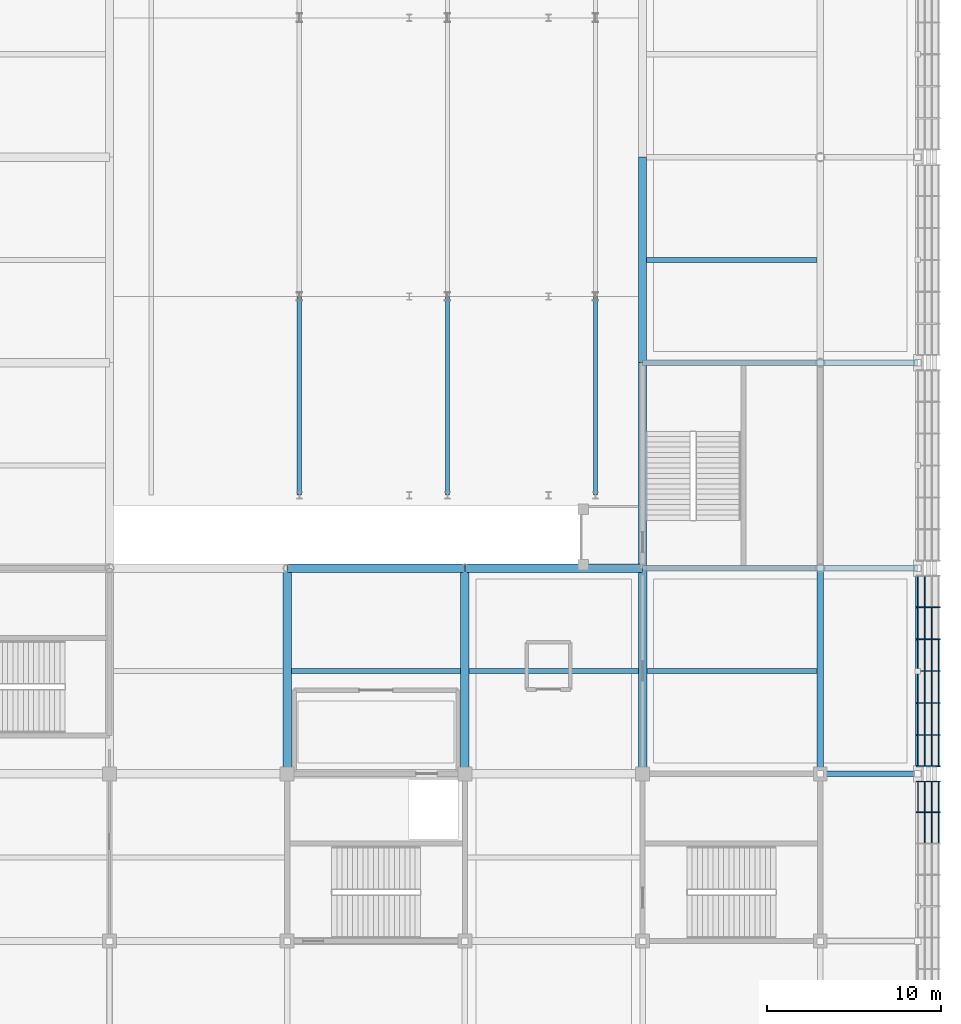
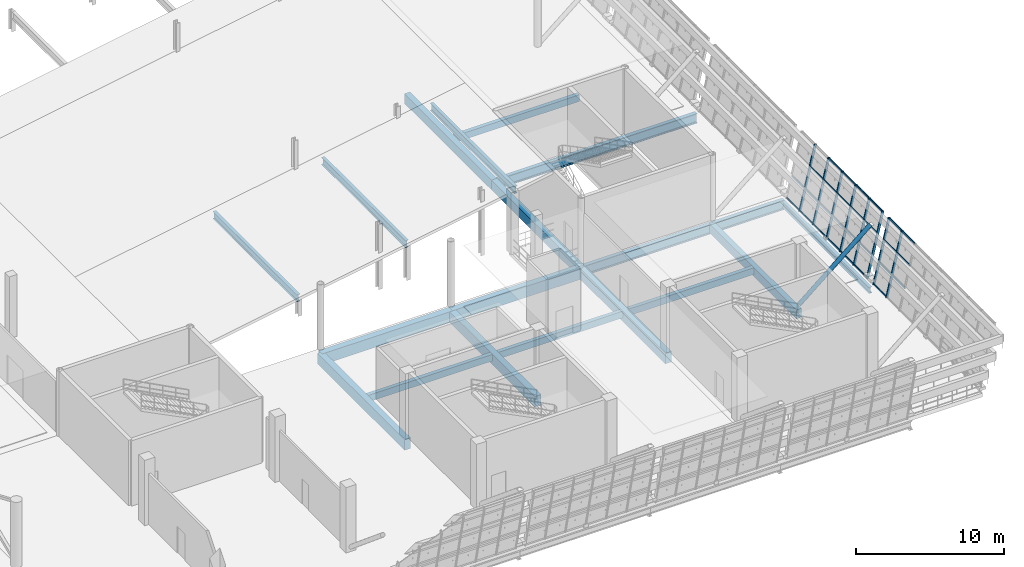
# One storey, part 62 of 175: 37 members, 18 beams, 2 elements without a shape of their own.
"""IFC4 building model written with IfcOpenShell, lengths in metres."""

from ifc_helpers import new_model, si_unit, direction, frame, origin, origin_2d, place, context, subcontext, project, spatial, rectangle, hollow_rectangle, hollow_circle, i_section, extrude, material, material_profile, profile_set, type_object, element, aggregate, save


model = new_model("IFC4")

# Units and contexts
model_context = context("Model", 3, precision=1e-05, world=origin(), true_north=direction((0.0, 1.0)))
body_context = subcontext(model_context, "Body", "Model", "MODEL_VIEW")
ifc_project = project(units=[si_unit("LENGTHUNIT", "METRE"), si_unit("AREAUNIT", "SQUARE_METRE"), si_unit("VOLUMEUNIT", "CUBIC_METRE"), si_unit("PLANEANGLEUNIT", "RADIAN"), si_unit("MASSUNIT", "GRAM", prefix="KILO")], contexts=[model_context])

# Site, building, storey
site_placement = place(None, origin())
site = spatial("IfcSite", under=ifc_project, at=site_placement, CompositionType="ELEMENT")
building_placement = place(site_placement, origin())
building = spatial("IfcBuilding", under=site, at=building_placement, Name="Brelvane Convention Centre", CompositionType="ELEMENT")
storey_placement = place(building_placement, frame((0.0, 0.0, 5.39990234375)))
storey = spatial("IfcBuildingStorey", under=building, at=storey_placement, Name="L01", CompositionType="ELEMENT", Elevation=5.39990234375)

# Curtain wall, members
ifc_material_1 = material(Name="Anodised Aluminium Alloy 6063-T6", Category="aluminium")
curtain_wall_type = type_object("IfcCurtainWallType", Name="Curtain Wall CW-PLEN-E", PredefinedType="USERDEFINED", material=ifc_material_1)
curtain_wall_1_placement = place(storey_placement, origin())
curtain_wall_1 = element("IfcCurtainWall", 1, at=curtain_wall_1_placement, inside=storey, type_object=curtain_wall_type, Name="Curtain Wall CW-PLEN-E L01-HULL-E-L01-1", ObjectType="UNITISED", PredefinedType="USERDEFINED")
ifc_material_2 = material(Name="Anodised Aluminium Alloy 6063-T6", Category="aluminium")
ifc_material_profile_1 = material_profile(ifc_material_2, hollow_rectangle(XDim=0.074951171875, YDim=0.199951171875, WallThickness=0.0048828125, InnerFilletRadius=0.0048828125, OuterFilletRadius=0.010009765625, at=origin_2d()), Name="ALU-M 200x75x5.0")
ifc_profile_set_1 = profile_set([ifc_material_profile_1], Name="Anodised Aluminium Alloy 6063-T6")
member_type_1 = type_object("IfcMemberType", Name="Curtain Mullion CW-M2", PredefinedType="MULLION", material=ifc_profile_set_1)
member_1_placement = place(storey_placement, frame((230.0, 26.60009765625, 0.0), z_axis=(0.228360162456, 0.0, 0.973576723326), x_axis=(0.0, 1.0, 0.0)))
member_1 = element("IfcMember", 2, at=member_1_placement, type_object=member_type_1, Name="CW-PLEN-E mullion 8", PredefinedType="MULLION", context=body_context, shape_type="SweptSolid", body=[
    extrude(hollow_rectangle(XDim=0.074951171875, YDim=0.199951171875, WallThickness=0.0048828125, InnerFilletRadius=0.0048828125, OuterFilletRadius=0.010009765625, at=origin_2d()), origin(), (0.0, 0.0, 1.0), 5.2900390625),
])
member_2_placement = place(storey_placement, frame((230.0, 28.362548828125, 0.0), z_axis=(0.228360162456, 0.0, 0.973576723326), x_axis=(0.0, 1.0, 0.0)))
member_2 = element("IfcMember", 3, at=member_2_placement, type_object=member_type_1, Name="CW-PLEN-E mullion 9", PredefinedType="MULLION", context=body_context, shape_type="SweptSolid", body=[
    extrude(hollow_rectangle(XDim=0.074951171875, YDim=0.199951171875, WallThickness=0.0048828125, InnerFilletRadius=0.0048828125, OuterFilletRadius=0.010009765625, at=origin_2d()), origin(), (0.0, 0.0, 1.0), 5.2900390625),
])

curtain_wall_2_placement = place(storey_placement, origin())
curtain_wall_2 = element("IfcCurtainWall", 4, at=curtain_wall_2_placement, inside=storey, type_object=curtain_wall_type, Name="Curtain Wall CW-PLEN-E L01-HULL-E-L01-2", ObjectType="UNITISED", PredefinedType="USERDEFINED")
member_3_placement = place(storey_placement, frame((230.0, 29.237548828125, 0.0), z_axis=(0.228360162456, 0.0, 0.973576723326), x_axis=(0.0, 1.0, 0.0)))
member_3 = element("IfcMember", 5, at=member_3_placement, type_object=member_type_1, Name="CW-PLEN-E mullion 1", PredefinedType="MULLION", context=body_context, shape_type="SweptSolid", body=[
    extrude(hollow_rectangle(XDim=0.074951171875, YDim=0.199951171875, WallThickness=0.0048828125, InnerFilletRadius=0.0048828125, OuterFilletRadius=0.010009765625, at=origin_2d()), origin(), (0.0, 0.0, 1.0), 5.2900390625),
])
member_4_placement = place(storey_placement, frame((230.0, 31.033447265625, 0.0), z_axis=(0.228360162456, 0.0, 0.973576723326), x_axis=(0.0, 1.0, 0.0)))
member_4 = element("IfcMember", 6, at=member_4_placement, type_object=member_type_1, Name="CW-PLEN-E mullion 2", PredefinedType="MULLION", context=body_context, shape_type="SweptSolid", body=[
    extrude(hollow_rectangle(XDim=0.074951171875, YDim=0.199951171875, WallThickness=0.0048828125, InnerFilletRadius=0.0048828125, OuterFilletRadius=0.010009765625, at=origin_2d()), origin(), (0.0, 0.0, 1.0), 5.2900390625),
])
member_5_placement = place(storey_placement, frame((230.0, 32.86669921875, 0.0), z_axis=(0.228360162456, 0.0, 0.973576723326), x_axis=(0.0, 1.0, 0.0)))
member_5 = element("IfcMember", 7, at=member_5_placement, type_object=member_type_1, Name="CW-PLEN-E mullion 3", PredefinedType="MULLION", context=body_context, shape_type="SweptSolid", body=[
    extrude(hollow_rectangle(XDim=0.074951171875, YDim=0.199951171875, WallThickness=0.0048828125, InnerFilletRadius=0.0048828125, OuterFilletRadius=0.010009765625, at=origin_2d()), origin(), (0.0, 0.0, 1.0), 5.2900390625),
])
member_6_placement = place(storey_placement, frame((230.0, 34.699951171875, 0.0), z_axis=(0.228360162456, 0.0, 0.973576723326), x_axis=(0.0, 1.0, 0.0)))
member_6 = element("IfcMember", 8, at=member_6_placement, type_object=member_type_1, Name="CW-PLEN-E mullion 4", PredefinedType="MULLION", context=body_context, shape_type="SweptSolid", body=[
    extrude(hollow_rectangle(XDim=0.074951171875, YDim=0.199951171875, WallThickness=0.0048828125, InnerFilletRadius=0.0048828125, OuterFilletRadius=0.010009765625, at=origin_2d()), origin(), (0.0, 0.0, 1.0), 5.2900390625),
])
member_7_placement = place(storey_placement, frame((230.0, 36.533447265625, 0.0), z_axis=(0.228360162456, 0.0, 0.973576723326), x_axis=(0.0, 1.0, 0.0)))
member_7 = element("IfcMember", 9, at=member_7_placement, type_object=member_type_1, Name="CW-PLEN-E mullion 5", PredefinedType="MULLION", context=body_context, shape_type="SweptSolid", body=[
    extrude(hollow_rectangle(XDim=0.074951171875, YDim=0.199951171875, WallThickness=0.0048828125, InnerFilletRadius=0.0048828125, OuterFilletRadius=0.010009765625, at=origin_2d()), origin(), (0.0, 0.0, 1.0), 5.2900390625),
])
member_8_placement = place(storey_placement, frame((230.0, 38.36669921875, 0.0), z_axis=(0.228360162456, 0.0, 0.973576723326), x_axis=(0.0, 1.0, 0.0)))
member_8 = element("IfcMember", 10, at=member_8_placement, type_object=member_type_1, Name="CW-PLEN-E mullion 6", PredefinedType="MULLION", context=body_context, shape_type="SweptSolid", body=[
    extrude(hollow_rectangle(XDim=0.074951171875, YDim=0.199951171875, WallThickness=0.0048828125, InnerFilletRadius=0.0048828125, OuterFilletRadius=0.010009765625, at=origin_2d()), origin(), (0.0, 0.0, 1.0), 5.2900390625),
])

# Member
ifc_material_3 = material(Name="Anodised Aluminium Alloy 6063-T6", Category="aluminium")
ifc_material_profile_2 = material_profile(ifc_material_3, hollow_rectangle(XDim=0.070068359375, YDim=0.14990234375, WallThickness=0.00439453125, InnerFilletRadius=0.00439453125, OuterFilletRadius=0.009033203125, at=origin_2d()), Name="ALU-T 150x70x4.5")
ifc_profile_set_2 = profile_set([ifc_material_profile_2], Name="Anodised Aluminium Alloy 6063-T6")
member_type_2 = type_object("IfcMemberType", Name="Curtain Transom CW-T2", PredefinedType="USERDEFINED", material=ifc_profile_set_2)
member_9_placement = place(storey_placement, frame((230.402587890625, 24.83740234375, 1.716796875), z_axis=(0.0, 1.0, 0.0), x_axis=(-1.0, 0.0, 0.0)))
member_9 = element("IfcMember", 11, at=member_9_placement, type_object=member_type_2, Name="CW-PLEN-E transom 7.2", ObjectType="TRANSOM", PredefinedType="USERDEFINED", context=body_context, shape_type="SweptSolid", body=[
    extrude(hollow_rectangle(XDim=0.070068359375, YDim=0.14990234375, WallThickness=0.00439453125, InnerFilletRadius=0.00439453125, OuterFilletRadius=0.009033203125, at=origin_2d()), origin(), (0.0, 0.0, 1.0), 1.72509765625),
])

member_10_placement = place(storey_placement, frame((230.80517578125, 24.83740234375, 3.433349609375), z_axis=(0.0, 1.0, 0.0), x_axis=(-1.0, 0.0, 0.0)))
member_10 = element("IfcMember", 12, at=member_10_placement, type_object=member_type_2, Name="CW-PLEN-E transom 7.3", ObjectType="TRANSOM", PredefinedType="USERDEFINED", context=body_context, shape_type="SweptSolid", body=[
    extrude(hollow_rectangle(XDim=0.070068359375, YDim=0.14990234375, WallThickness=0.00439453125, InnerFilletRadius=0.00439453125, OuterFilletRadius=0.009033203125, at=origin_2d()), origin(), (0.0, 0.0, 1.0), 1.72509765625),
])

member_11_placement = place(storey_placement, frame((231.19970703125, 24.83740234375, 5.114990234375), z_axis=(0.0, 1.0, 0.0), x_axis=(-1.0, 0.0, 0.0)))
member_11 = element("IfcMember", 13, at=member_11_placement, type_object=member_type_2, Name="CW-PLEN-E transom 7.4", ObjectType="TRANSOM", PredefinedType="USERDEFINED", context=body_context, shape_type="SweptSolid", body=[
    extrude(hollow_rectangle(XDim=0.070068359375, YDim=0.14990234375, WallThickness=0.00439453125, InnerFilletRadius=0.00439453125, OuterFilletRadius=0.009033203125, at=origin_2d()), origin(), (0.0, 0.0, 1.0), 1.72509765625),
])

member_12_placement = place(storey_placement, frame((230.00830078125, 26.637451171875, 0.03515625), z_axis=(0.0, 1.0, 0.0), x_axis=(-1.0, 0.0, 0.0)))
member_12 = element("IfcMember", 14, at=member_12_placement, type_object=member_type_2, Name="CW-PLEN-E transom 8.1", ObjectType="TRANSOM", PredefinedType="USERDEFINED", context=body_context, shape_type="SweptSolid", body=[
    extrude(hollow_rectangle(XDim=0.070068359375, YDim=0.14990234375, WallThickness=0.00439453125, InnerFilletRadius=0.00439453125, OuterFilletRadius=0.009033203125, at=origin_2d()), origin(), (0.0, 0.0, 1.0), 1.6875),
])

member_13_placement = place(storey_placement, frame((230.402587890625, 26.637451171875, 1.716796875), z_axis=(0.0, 1.0, 0.0), x_axis=(-1.0, 0.0, 0.0)))
member_13 = element("IfcMember", 15, at=member_13_placement, type_object=member_type_2, Name="CW-PLEN-E transom 8.2", ObjectType="TRANSOM", PredefinedType="USERDEFINED", context=body_context, shape_type="SweptSolid", body=[
    extrude(hollow_rectangle(XDim=0.070068359375, YDim=0.14990234375, WallThickness=0.00439453125, InnerFilletRadius=0.00439453125, OuterFilletRadius=0.009033203125, at=origin_2d()), origin(), (0.0, 0.0, 1.0), 1.6875),
])

member_14_placement = place(storey_placement, frame((230.80517578125, 26.637451171875, 3.433349609375), z_axis=(0.0, 1.0, 0.0), x_axis=(-1.0, 0.0, 0.0)))
member_14 = element("IfcMember", 16, at=member_14_placement, type_object=member_type_2, Name="CW-PLEN-E transom 8.3", ObjectType="TRANSOM", PredefinedType="USERDEFINED", context=body_context, shape_type="SweptSolid", body=[
    extrude(hollow_rectangle(XDim=0.070068359375, YDim=0.14990234375, WallThickness=0.00439453125, InnerFilletRadius=0.00439453125, OuterFilletRadius=0.009033203125, at=origin_2d()), origin(), (0.0, 0.0, 1.0), 1.6875),
])

member_15_placement = place(storey_placement, frame((231.19970703125, 26.637451171875, 5.114990234375), z_axis=(0.0, 1.0, 0.0), x_axis=(-1.0, 0.0, 0.0)))
member_15 = element("IfcMember", 17, at=member_15_placement, type_object=member_type_2, Name="CW-PLEN-E transom 8.4", ObjectType="TRANSOM", PredefinedType="USERDEFINED", context=body_context, shape_type="SweptSolid", body=[
    extrude(hollow_rectangle(XDim=0.070068359375, YDim=0.14990234375, WallThickness=0.00439453125, InnerFilletRadius=0.00439453125, OuterFilletRadius=0.009033203125, at=origin_2d()), origin(), (0.0, 0.0, 1.0), 1.6875),
])

aggregate(curtain_wall_1, [member_1, member_2, member_9, member_10, member_11, member_12, member_13, member_14, member_15])

member_16_placement = place(storey_placement, frame((230.00830078125, 29.27490234375, 0.03515625), z_axis=(0.0, 1.0, 0.0), x_axis=(-1.0, 0.0, 0.0)))
member_16 = element("IfcMember", 18, at=member_16_placement, type_object=member_type_2, Name="CW-PLEN-E transom 1.1", ObjectType="TRANSOM", PredefinedType="USERDEFINED", context=body_context, shape_type="SweptSolid", body=[
    extrude(hollow_rectangle(XDim=0.070068359375, YDim=0.14990234375, WallThickness=0.00439453125, InnerFilletRadius=0.00439453125, OuterFilletRadius=0.009033203125, at=origin_2d()), origin(), (0.0, 0.0, 1.0), 1.720947265625),
])

member_17_placement = place(storey_placement, frame((230.402587890625, 29.27490234375, 1.716796875), z_axis=(0.0, 1.0, 0.0), x_axis=(-1.0, 0.0, 0.0)))
member_17 = element("IfcMember", 19, at=member_17_placement, type_object=member_type_2, Name="CW-PLEN-E transom 1.2", ObjectType="TRANSOM", PredefinedType="USERDEFINED", context=body_context, shape_type="SweptSolid", body=[
    extrude(hollow_rectangle(XDim=0.070068359375, YDim=0.14990234375, WallThickness=0.00439453125, InnerFilletRadius=0.00439453125, OuterFilletRadius=0.009033203125, at=origin_2d()), origin(), (0.0, 0.0, 1.0), 1.720947265625),
])

member_18_placement = place(storey_placement, frame((230.80517578125, 29.27490234375, 3.433349609375), z_axis=(0.0, 1.0, 0.0), x_axis=(-1.0, 0.0, 0.0)))
member_18 = element("IfcMember", 20, at=member_18_placement, type_object=member_type_2, Name="CW-PLEN-E transom 1.3", ObjectType="TRANSOM", PredefinedType="USERDEFINED", context=body_context, shape_type="SweptSolid", body=[
    extrude(hollow_rectangle(XDim=0.070068359375, YDim=0.14990234375, WallThickness=0.00439453125, InnerFilletRadius=0.00439453125, OuterFilletRadius=0.009033203125, at=origin_2d()), origin(), (0.0, 0.0, 1.0), 1.720947265625),
])

member_19_placement = place(storey_placement, frame((231.19970703125, 29.27490234375, 5.114990234375), z_axis=(0.0, 1.0, 0.0), x_axis=(-1.0, 0.0, 0.0)))
member_19 = element("IfcMember", 21, at=member_19_placement, type_object=member_type_2, Name="CW-PLEN-E transom 1.4", ObjectType="TRANSOM", PredefinedType="USERDEFINED", context=body_context, shape_type="SweptSolid", body=[
    extrude(hollow_rectangle(XDim=0.070068359375, YDim=0.14990234375, WallThickness=0.00439453125, InnerFilletRadius=0.00439453125, OuterFilletRadius=0.009033203125, at=origin_2d()), origin(), (0.0, 0.0, 1.0), 1.720947265625),
])

member_20_placement = place(storey_placement, frame((230.00830078125, 31.07080078125, 0.03515625), z_axis=(0.0, 1.0, 0.0), x_axis=(-1.0, 0.0, 0.0)))
member_20 = element("IfcMember", 22, at=member_20_placement, type_object=member_type_2, Name="CW-PLEN-E transom 2.1", ObjectType="TRANSOM", PredefinedType="USERDEFINED", context=body_context, shape_type="SweptSolid", body=[
    extrude(hollow_rectangle(XDim=0.070068359375, YDim=0.14990234375, WallThickness=0.00439453125, InnerFilletRadius=0.00439453125, OuterFilletRadius=0.009033203125, at=origin_2d()), origin(), (0.0, 0.0, 1.0), 1.75830078125),
])

member_21_placement = place(storey_placement, frame((230.402587890625, 31.07080078125, 1.716796875), z_axis=(0.0, 1.0, 0.0), x_axis=(-1.0, 0.0, 0.0)))
member_21 = element("IfcMember", 23, at=member_21_placement, type_object=member_type_2, Name="CW-PLEN-E transom 2.2", ObjectType="TRANSOM", PredefinedType="USERDEFINED", context=body_context, shape_type="SweptSolid", body=[
    extrude(hollow_rectangle(XDim=0.070068359375, YDim=0.14990234375, WallThickness=0.00439453125, InnerFilletRadius=0.00439453125, OuterFilletRadius=0.009033203125, at=origin_2d()), origin(), (0.0, 0.0, 1.0), 1.75830078125),
])

member_22_placement = place(storey_placement, frame((230.80517578125, 31.07080078125, 3.433349609375), z_axis=(0.0, 1.0, 0.0), x_axis=(-1.0, 0.0, 0.0)))
member_22 = element("IfcMember", 24, at=member_22_placement, type_object=member_type_2, Name="CW-PLEN-E transom 2.3", ObjectType="TRANSOM", PredefinedType="USERDEFINED", context=body_context, shape_type="SweptSolid", body=[
    extrude(hollow_rectangle(XDim=0.070068359375, YDim=0.14990234375, WallThickness=0.00439453125, InnerFilletRadius=0.00439453125, OuterFilletRadius=0.009033203125, at=origin_2d()), origin(), (0.0, 0.0, 1.0), 1.75830078125),
])

member_23_placement = place(storey_placement, frame((231.19970703125, 31.07080078125, 5.114990234375), z_axis=(0.0, 1.0, 0.0), x_axis=(-1.0, 0.0, 0.0)))
member_23 = element("IfcMember", 25, at=member_23_placement, type_object=member_type_2, Name="CW-PLEN-E transom 2.4", ObjectType="TRANSOM", PredefinedType="USERDEFINED", context=body_context, shape_type="SweptSolid", body=[
    extrude(hollow_rectangle(XDim=0.070068359375, YDim=0.14990234375, WallThickness=0.00439453125, InnerFilletRadius=0.00439453125, OuterFilletRadius=0.009033203125, at=origin_2d()), origin(), (0.0, 0.0, 1.0), 1.75830078125),
])

member_24_placement = place(storey_placement, frame((230.00830078125, 32.904052734375, 0.03515625), z_axis=(0.0, 1.0, 0.0), x_axis=(-1.0, 0.0, 0.0)))
member_24 = element("IfcMember", 26, at=member_24_placement, type_object=member_type_2, Name="CW-PLEN-E transom 3.1", ObjectType="TRANSOM", PredefinedType="USERDEFINED", context=body_context, shape_type="SweptSolid", body=[
    extrude(hollow_rectangle(XDim=0.070068359375, YDim=0.14990234375, WallThickness=0.00439453125, InnerFilletRadius=0.00439453125, OuterFilletRadius=0.009033203125, at=origin_2d()), origin(), (0.0, 0.0, 1.0), 1.758544921875),
])

member_25_placement = place(storey_placement, frame((230.402587890625, 32.904052734375, 1.716796875), z_axis=(0.0, 1.0, 0.0), x_axis=(-1.0, 0.0, 0.0)))
member_25 = element("IfcMember", 27, at=member_25_placement, type_object=member_type_2, Name="CW-PLEN-E transom 3.2", ObjectType="TRANSOM", PredefinedType="USERDEFINED", context=body_context, shape_type="SweptSolid", body=[
    extrude(hollow_rectangle(XDim=0.070068359375, YDim=0.14990234375, WallThickness=0.00439453125, InnerFilletRadius=0.00439453125, OuterFilletRadius=0.009033203125, at=origin_2d()), origin(), (0.0, 0.0, 1.0), 1.758544921875),
])

member_26_placement = place(storey_placement, frame((230.80517578125, 32.904052734375, 3.433349609375), z_axis=(0.0, 1.0, 0.0), x_axis=(-1.0, 0.0, 0.0)))
member_26 = element("IfcMember", 28, at=member_26_placement, type_object=member_type_2, Name="CW-PLEN-E transom 3.3", ObjectType="TRANSOM", PredefinedType="USERDEFINED", context=body_context, shape_type="SweptSolid", body=[
    extrude(hollow_rectangle(XDim=0.070068359375, YDim=0.14990234375, WallThickness=0.00439453125, InnerFilletRadius=0.00439453125, OuterFilletRadius=0.009033203125, at=origin_2d()), origin(), (0.0, 0.0, 1.0), 1.758544921875),
])

member_27_placement = place(storey_placement, frame((231.19970703125, 32.904052734375, 5.114990234375), z_axis=(0.0, 1.0, 0.0), x_axis=(-1.0, 0.0, 0.0)))
member_27 = element("IfcMember", 29, at=member_27_placement, type_object=member_type_2, Name="CW-PLEN-E transom 3.4", ObjectType="TRANSOM", PredefinedType="USERDEFINED", context=body_context, shape_type="SweptSolid", body=[
    extrude(hollow_rectangle(XDim=0.070068359375, YDim=0.14990234375, WallThickness=0.00439453125, InnerFilletRadius=0.00439453125, OuterFilletRadius=0.009033203125, at=origin_2d()), origin(), (0.0, 0.0, 1.0), 1.758544921875),
])

member_28_placement = place(storey_placement, frame((230.00830078125, 34.737548828125, 0.03515625), z_axis=(0.0, 1.0, 0.0), x_axis=(-1.0, 0.0, 0.0)))
member_28 = element("IfcMember", 30, at=member_28_placement, type_object=member_type_2, Name="CW-PLEN-E transom 4.1", ObjectType="TRANSOM", PredefinedType="USERDEFINED", context=body_context, shape_type="SweptSolid", body=[
    extrude(hollow_rectangle(XDim=0.070068359375, YDim=0.14990234375, WallThickness=0.00439453125, InnerFilletRadius=0.00439453125, OuterFilletRadius=0.009033203125, at=origin_2d()), origin(), (0.0, 0.0, 1.0), 1.75830078125),
])

member_29_placement = place(storey_placement, frame((230.402587890625, 34.737548828125, 1.716796875), z_axis=(0.0, 1.0, 0.0), x_axis=(-1.0, 0.0, 0.0)))
member_29 = element("IfcMember", 31, at=member_29_placement, type_object=member_type_2, Name="CW-PLEN-E transom 4.2", ObjectType="TRANSOM", PredefinedType="USERDEFINED", context=body_context, shape_type="SweptSolid", body=[
    extrude(hollow_rectangle(XDim=0.070068359375, YDim=0.14990234375, WallThickness=0.00439453125, InnerFilletRadius=0.00439453125, OuterFilletRadius=0.009033203125, at=origin_2d()), origin(), (0.0, 0.0, 1.0), 1.75830078125),
])

member_30_placement = place(storey_placement, frame((230.80517578125, 34.737548828125, 3.433349609375), z_axis=(0.0, 1.0, 0.0), x_axis=(-1.0, 0.0, 0.0)))
member_30 = element("IfcMember", 32, at=member_30_placement, type_object=member_type_2, Name="CW-PLEN-E transom 4.3", ObjectType="TRANSOM", PredefinedType="USERDEFINED", context=body_context, shape_type="SweptSolid", body=[
    extrude(hollow_rectangle(XDim=0.070068359375, YDim=0.14990234375, WallThickness=0.00439453125, InnerFilletRadius=0.00439453125, OuterFilletRadius=0.009033203125, at=origin_2d()), origin(), (0.0, 0.0, 1.0), 1.75830078125),
])

member_31_placement = place(storey_placement, frame((231.19970703125, 34.737548828125, 5.114990234375), z_axis=(0.0, 1.0, 0.0), x_axis=(-1.0, 0.0, 0.0)))
member_31 = element("IfcMember", 33, at=member_31_placement, type_object=member_type_2, Name="CW-PLEN-E transom 4.4", ObjectType="TRANSOM", PredefinedType="USERDEFINED", context=body_context, shape_type="SweptSolid", body=[
    extrude(hollow_rectangle(XDim=0.070068359375, YDim=0.14990234375, WallThickness=0.00439453125, InnerFilletRadius=0.00439453125, OuterFilletRadius=0.009033203125, at=origin_2d()), origin(), (0.0, 0.0, 1.0), 1.75830078125),
])

member_32_placement = place(storey_placement, frame((230.00830078125, 36.57080078125, 0.03515625), z_axis=(0.0, 1.0, 0.0), x_axis=(-1.0, 0.0, 0.0)))
member_32 = element("IfcMember", 34, at=member_32_placement, type_object=member_type_2, Name="CW-PLEN-E transom 5.1", ObjectType="TRANSOM", PredefinedType="USERDEFINED", context=body_context, shape_type="SweptSolid", body=[
    extrude(hollow_rectangle(XDim=0.070068359375, YDim=0.14990234375, WallThickness=0.00439453125, InnerFilletRadius=0.00439453125, OuterFilletRadius=0.009033203125, at=origin_2d()), origin(), (0.0, 0.0, 1.0), 1.75830078125),
])

member_33_placement = place(storey_placement, frame((230.402587890625, 36.57080078125, 1.716796875), z_axis=(0.0, 1.0, 0.0), x_axis=(-1.0, 0.0, 0.0)))
member_33 = element("IfcMember", 35, at=member_33_placement, type_object=member_type_2, Name="CW-PLEN-E transom 5.2", ObjectType="TRANSOM", PredefinedType="USERDEFINED", context=body_context, shape_type="SweptSolid", body=[
    extrude(hollow_rectangle(XDim=0.070068359375, YDim=0.14990234375, WallThickness=0.00439453125, InnerFilletRadius=0.00439453125, OuterFilletRadius=0.009033203125, at=origin_2d()), origin(), (0.0, 0.0, 1.0), 1.75830078125),
])

member_34_placement = place(storey_placement, frame((230.80517578125, 36.57080078125, 3.433349609375), z_axis=(0.0, 1.0, 0.0), x_axis=(-1.0, 0.0, 0.0)))
member_34 = element("IfcMember", 36, at=member_34_placement, type_object=member_type_2, Name="CW-PLEN-E transom 5.3", ObjectType="TRANSOM", PredefinedType="USERDEFINED", context=body_context, shape_type="SweptSolid", body=[
    extrude(hollow_rectangle(XDim=0.070068359375, YDim=0.14990234375, WallThickness=0.00439453125, InnerFilletRadius=0.00439453125, OuterFilletRadius=0.009033203125, at=origin_2d()), origin(), (0.0, 0.0, 1.0), 1.75830078125),
])

member_35_placement = place(storey_placement, frame((230.00830078125, 38.404052734375, 0.03515625), z_axis=(0.0, 1.0, 0.0), x_axis=(-1.0, 0.0, 0.0)))
member_35 = element("IfcMember", 37, at=member_35_placement, type_object=member_type_2, Name="CW-PLEN-E transom 6.1", ObjectType="TRANSOM", PredefinedType="USERDEFINED", context=body_context, shape_type="SweptSolid", body=[
    extrude(hollow_rectangle(XDim=0.070068359375, YDim=0.14990234375, WallThickness=0.00439453125, InnerFilletRadius=0.00439453125, OuterFilletRadius=0.009033203125, at=origin_2d()), origin(), (0.0, 0.0, 1.0), 1.720947265625),
])

member_36_placement = place(storey_placement, frame((230.402587890625, 38.404052734375, 1.716796875), z_axis=(0.0, 1.0, 0.0), x_axis=(-1.0, 0.0, 0.0)))
member_36 = element("IfcMember", 38, at=member_36_placement, type_object=member_type_2, Name="CW-PLEN-E transom 6.2", ObjectType="TRANSOM", PredefinedType="USERDEFINED", context=body_context, shape_type="SweptSolid", body=[
    extrude(hollow_rectangle(XDim=0.070068359375, YDim=0.14990234375, WallThickness=0.00439453125, InnerFilletRadius=0.00439453125, OuterFilletRadius=0.009033203125, at=origin_2d()), origin(), (0.0, 0.0, 1.0), 1.720947265625),
])

aggregate(curtain_wall_2, [member_3, member_4, member_5, member_6, member_7, member_8, member_16, member_17, member_18, member_19, member_20, member_21, member_22, member_23, member_24, member_25, member_26, member_27, member_28, member_29, member_30, member_31, member_32, member_33, member_34, member_35, member_36])

# Beams
ifc_material_4 = material(Name="Concrete M40", Category="concrete")
ifc_material_profile_3 = material_profile(ifc_material_4, rectangle(XDim=0.47998046875, YDim=0.8798828125, at=origin_2d()), Name="RC 480x880")
ifc_profile_set_3 = profile_set([ifc_material_profile_3], Name="Concrete M40")
beam_type_1 = type_object("IfcBeamType", Name="RC Beam B-RC10 (RC 480x880)", PredefinedType="BEAM", material=ifc_profile_set_3)
for number, where, z_axis, x_axis, name in (
    (39, (193.800048828125, 28.800048828125, -0.760009765625), (0.0, 1.0, 0.0), (-1.0, 0.0, 0.0), "L01 Girder 20/D-E"),
    (40, (204.0, 28.800048828125, -0.760009765625), (0.0, 1.0, 0.0), (-1.0, 0.0, 0.0), "L01 Girder 21/D-E"),
    (41, (214.199951171875, 28.800048828125, -0.760009765625), (0.0, 1.0, 0.0), (-1.0, 0.0, 0.0), "L01 Girder 22/D-E"),
):
    element("IfcBeam", number, at=place(storey_placement, frame(where, z_axis=z_axis, x_axis=x_axis)), inside=storey, type_object=beam_type_1, Name=name, PredefinedType="BEAM", context=body_context, shape_type="SweptSolid", body=[
        extrude(rectangle(XDim=0.47998046875, YDim=0.8798828125, at=origin_2d()), origin(), (0.0, 0.0, 1.0), 11.800048828125),
    ])
ifc_material_5 = material(Name="Concrete M40", Category="concrete")
ifc_material_profile_4 = material_profile(ifc_material_5, rectangle(XDim=0.5, YDim=0.89990234375, at=origin_2d()), Name="RC 500x900")
ifc_profile_set_4 = profile_set([ifc_material_profile_4], Name="Concrete M40")
beam_type_2 = type_object("IfcBeamType", Name="RC Beam B-RC4 (RC 500x900)", PredefinedType="BEAM", material=ifc_profile_set_4)
for number, where, z_axis, x_axis, name in (
    (42, (193.800048828125, 40.60009765625, -0.77001953125), (1.0, 0.0, 0.0), (0.0, 1.0, 0.0), "L01 Beam 20-21/E"),
    (43, (204.0, 40.60009765625, -0.77001953125), (1.0, 0.0, 0.0), (0.0, 1.0, 0.0), "L01 Beam 21-22/E"),
):
    element("IfcBeam", number, at=place(storey_placement, frame(where, z_axis=z_axis, x_axis=x_axis)), inside=storey, type_object=beam_type_2, Name=name, PredefinedType="BEAM", context=body_context, shape_type="SweptSolid", body=[
        extrude(rectangle(XDim=0.5, YDim=0.89990234375, at=origin_2d()), origin(), (0.0, 0.0, 1.0), 10.199951171875),
    ])
ifc_material_6 = material(Name="Concrete M40", Category="concrete")
ifc_material_profile_5 = material_profile(ifc_material_6, rectangle(XDim=0.449951171875, YDim=0.800048828125, at=origin_2d()), Name="RC 450x800")
ifc_profile_set_5 = profile_set([ifc_material_profile_5], Name="Concrete M40")
beam_type_3 = type_object("IfcBeamType", Name="RC Beam B-RC5 (RC 450x800)", PredefinedType="BEAM", material=ifc_profile_set_5)
beam_1_placement = place(storey_placement, frame((214.199951171875, 40.60009765625, -0.719970703125), z_axis=(0.0, 1.0, 0.0), x_axis=(-1.0, 0.0, 0.0)))
element("IfcBeam", 44, at=beam_1_placement, inside=storey, type_object=beam_type_3, Name="L01 Girder 22/E-F", PredefinedType="BEAM", context=body_context, shape_type="SweptSolid", body=[
    extrude(rectangle(XDim=0.449951171875, YDim=0.800048828125, at=origin_2d()), origin(), (0.0, 0.0, 1.0), 11.7998046875),
])
beam_2_placement = place(storey_placement, frame((214.199951171875, 52.39990234375, -0.719970703125), z_axis=(0.0, 1.0, 0.0), x_axis=(-1.0, 0.0, 0.0)))
element("IfcBeam", 45, at=beam_2_placement, inside=storey, type_object=beam_type_3, Name="L01 Girder 22/F-G", PredefinedType="BEAM", context=body_context, shape_type="SweptSolid", body=[
    extrude(rectangle(XDim=0.449951171875, YDim=0.800048828125, at=origin_2d()), origin(), (0.0, 0.0, 1.0), 11.800048828125),
])
ifc_material_7 = material(Name="Concrete M40", Category="concrete")
ifc_material_profile_6 = material_profile(ifc_material_7, rectangle(XDim=0.300048828125, YDim=0.550048828125, at=origin_2d()), Name="RC 300x550")
ifc_profile_set_6 = profile_set([ifc_material_profile_6], Name="Concrete M40")
beam_type_4 = type_object("IfcBeamType", Name="RC Joist J-RC1 (RC 300x550)", PredefinedType="JOIST", material=ifc_profile_set_6)
for number, where, z_axis, x_axis, name in (
    (46, (194.0400390625, 34.699951171875, -0.594970703125), (1.0, 0.0, 0.0), (0.0, 1.0, 0.0), "L01 Secondary Joist 20-21/DE"),
    (47, (204.239990234375, 34.699951171875, -0.594970703125), (1.0, 0.0, 0.0), (0.0, 1.0, 0.0), "L01 Secondary Joist 21-22/DE"),
):
    element("IfcBeam", number, at=place(storey_placement, frame(where, z_axis=z_axis, x_axis=x_axis)), inside=storey, type_object=beam_type_4, Name=name, PredefinedType="JOIST", context=body_context, shape_type="SweptSolid", body=[
        extrude(rectangle(XDim=0.300048828125, YDim=0.550048828125, at=origin_2d()), origin(), (0.0, 0.0, 1.0), 9.719970703125),
    ])
beam_3_placement = place(storey_placement, frame((214.43994140625, 34.699951171875, -0.594970703125), z_axis=(1.0, 0.0, 0.0), x_axis=(0.0, 1.0, 0.0)))
element("IfcBeam", 48, at=beam_3_placement, inside=storey, type_object=beam_type_4, Name="L01 Secondary Joist 22-23/DE", PredefinedType="JOIST", context=body_context, shape_type="SweptSolid", body=[
    extrude(rectangle(XDim=0.300048828125, YDim=0.550048828125, at=origin_2d()), origin(), (0.0, 0.0, 1.0), 9.760009765625),
])
beam_4_placement = place(storey_placement, frame((214.425048828125, 58.300048828125, -0.594970703125), z_axis=(1.0, 0.0, 0.0), x_axis=(0.0, 1.0, 0.0)))
element("IfcBeam", 49, at=beam_4_placement, inside=storey, type_object=beam_type_4, Name="L01 Secondary Joist 22-23/FG", PredefinedType="JOIST", context=body_context, shape_type="SweptSolid", body=[
    extrude(rectangle(XDim=0.300048828125, YDim=0.550048828125, at=origin_2d()), origin(), (0.0, 0.0, 1.0), 9.77490234375),
])
ifc_material_8 = material(Name="Concrete M40", Category="concrete")
ifc_material_profile_7 = material_profile(ifc_material_8, rectangle(XDim=0.39990234375, YDim=0.75, at=origin_2d()), Name="RC 400x750")
ifc_profile_set_7 = profile_set([ifc_material_profile_7], Name="Concrete M40")
beam_type_5 = type_object("IfcBeamType", Name="RC Spandrel SP-RC1 (RC 400x750)", PredefinedType="SPANDREL", material=ifc_profile_set_7)
beam_5_placement = place(storey_placement, frame((224.39990234375, 28.800048828125, -0.69482421875), z_axis=(0.0, 1.0, 0.0), x_axis=(-1.0, 0.0, 0.0)))
element("IfcBeam", 50, at=beam_5_placement, inside=storey, type_object=beam_type_5, Name="L01 Girder 23/D-E", PredefinedType="SPANDREL", context=body_context, shape_type="SweptSolid", body=[
    extrude(rectangle(XDim=0.39990234375, YDim=0.75, at=origin_2d()), origin(), (0.0, 0.0, 1.0), 11.800048828125),
])
ifc_material_9 = material(Name="Steel E450 (450 MPa)", Category="steel")
ifc_material_profile_8 = material_profile(ifc_material_9, i_section(OverallWidth=0.300048828125, OverallDepth=0.800048828125, WebThickness=0.015380859375, FlangeThickness=0.030029296875, FilletRadius=0.027099609375, at=origin_2d()), Name="NPB 800x300")
ifc_profile_set_8 = profile_set([ifc_material_profile_8], Name="Steel E450 (450 MPa)")
beam_type_6 = type_object("IfcBeamType", Name="Steel Beam B-ST2 (NPB 800x300)", PredefinedType="BEAM", material=ifc_profile_set_8)
for number, where, z_axis, x_axis, name in (
    (51, (214.199951171875, 40.60009765625, -0.719970703125), (1.0, 0.0, 0.0), (0.0, 1.0, 0.0), "L01 Plenary East Cantilever Girder Y40"),
    (52, (214.199951171875, 52.39990234375, -0.719970703125), (1.0, 0.0, 0.0), (0.0, 1.0, 0.0), "L01 Plenary East Cantilever Girder Y52"),
):
    element("IfcBeam", number, at=place(storey_placement, frame(where, z_axis=z_axis, x_axis=x_axis)), inside=storey, type_object=beam_type_6, Name=name, PredefinedType="BEAM", context=body_context, shape_type="SweptSolid", body=[
        extrude(i_section(OverallWidth=0.300048828125, OverallDepth=0.800048828125, WebThickness=0.015380859375, FlangeThickness=0.030029296875, FilletRadius=0.027099609375, at=origin_2d()), origin(), (0.0, 0.0, 1.0), 15.800048828125),
    ])
ifc_material_10 = material(Name="Steel E350 (350 MPa)", Category="steel")
ifc_material_profile_9 = material_profile(ifc_material_10, i_section(OverallWidth=0.25, OverallDepth=0.60009765625, WebThickness=0.01171875, FlangeThickness=0.023681640625, FilletRadius=0.01806640625, at=origin_2d()), Name="ISWB 600")
ifc_profile_set_9 = profile_set([ifc_material_profile_9], Name="Steel E350 (350 MPa)")
beam_type_7 = type_object("IfcBeamType", Name="Steel Beam B-ST5 (ISWB 600)", PredefinedType="BEAM", material=ifc_profile_set_9)
for number, where, z_axis, x_axis, name in (
    (53, (194.5, 44.800048828125, 1.360107421875), (0.0, 1.0, 0.0), (-1.0, 0.0, 0.0), "Plenary Lower Tier Bearer Beam L2-1"),
    (54, (203.0, 44.800048828125, 2.860107421875), (0.0, 1.0, 0.0), (-1.0, 0.0, 0.0), "Plenary Lower Tier Bearer Beam L3-1"),
    (55, (211.5, 44.800048828125, 4.360107421875), (0.0, 1.0, 0.0), (-1.0, 0.0, 0.0), "Plenary Lower Tier Bearer Beam L4-1"),
):
    element("IfcBeam", number, at=place(storey_placement, frame(where, z_axis=z_axis, x_axis=x_axis)), inside=storey, type_object=beam_type_7, Name=name, PredefinedType="BEAM", context=body_context, shape_type="SweptSolid", body=[
        extrude(i_section(OverallWidth=0.25, OverallDepth=0.60009765625, WebThickness=0.01171875, FlangeThickness=0.023681640625, FilletRadius=0.01806640625, at=origin_2d()), origin(), (0.0, 0.0, 1.0), 11.39990234375),
    ])
ifc_material_11 = material(Name="Steel E350 (350 MPa)", Category="steel")
ifc_material_profile_10 = material_profile(ifc_material_11, i_section(OverallWidth=0.25, OverallDepth=0.5, WebThickness=0.010009765625, FlangeThickness=0.0146484375, FilletRadius=0.01611328125, at=origin_2d()), Name="ISWB 500")
ifc_profile_set_10 = profile_set([ifc_material_profile_10], Name="Steel E350 (350 MPa)")
beam_type_8 = type_object("IfcBeamType", Name="Steel Spandrel SP-ST1 (ISWB 500)", PredefinedType="SPANDREL", material=ifc_profile_set_10)
beam_6_placement = place(storey_placement, frame((230.0, 28.800048828125, -0.719970703125), z_axis=(0.0, 1.0, 0.0), x_axis=(-1.0, 0.0, 0.0)))
element("IfcBeam", 56, at=beam_6_placement, inside=storey, type_object=beam_type_8, Name="L01 Plenary Overhang Tip Spandrel 2", PredefinedType="SPANDREL", context=body_context, shape_type="SweptSolid", body=[
    extrude(i_section(OverallWidth=0.25, OverallDepth=0.5, WebThickness=0.010009765625, FlangeThickness=0.0146484375, FilletRadius=0.01611328125, at=origin_2d()), origin(), (0.0, 0.0, 1.0), 11.800048828125),
])

# Member
ifc_material_12 = material(Name="Steel E450 (450 MPa)", Category="steel")
ifc_material_profile_11 = material_profile(ifc_material_12, hollow_circle(Radius=0.161865234375, WallThickness=0.012451171875, at=origin_2d()), Name="CHS 323.9x12.5")
ifc_profile_set_11 = profile_set([ifc_material_profile_11], Name="Steel E450 (450 MPa)")
member_type_3 = type_object("IfcMemberType", Name="Steel Strut HS-ST2 (CHS 323.9x12.5)", PredefinedType="STRUT", material=ifc_profile_set_11)
member_37_placement = place(storey_placement, frame((224.39990234375, 28.800048828125, 0.050048828125), z_axis=(0.767990703815, 0.0, 0.640460989331), x_axis=(0.0, 1.0, 0.0)))
element("IfcMember", 57, at=member_37_placement, inside=storey, type_object=member_type_3, Name="Plenary East Overhang Raked Strut L02 Y28", PredefinedType="STRUT", context=body_context, shape_type="SweptSolid", body=[
    extrude(hollow_circle(Radius=0.161865234375, WallThickness=0.012451171875, at=origin_2d()), origin(), (0.0, 0.0, 1.0), 7.2919921875),
])

save(model, "model.ifc")
